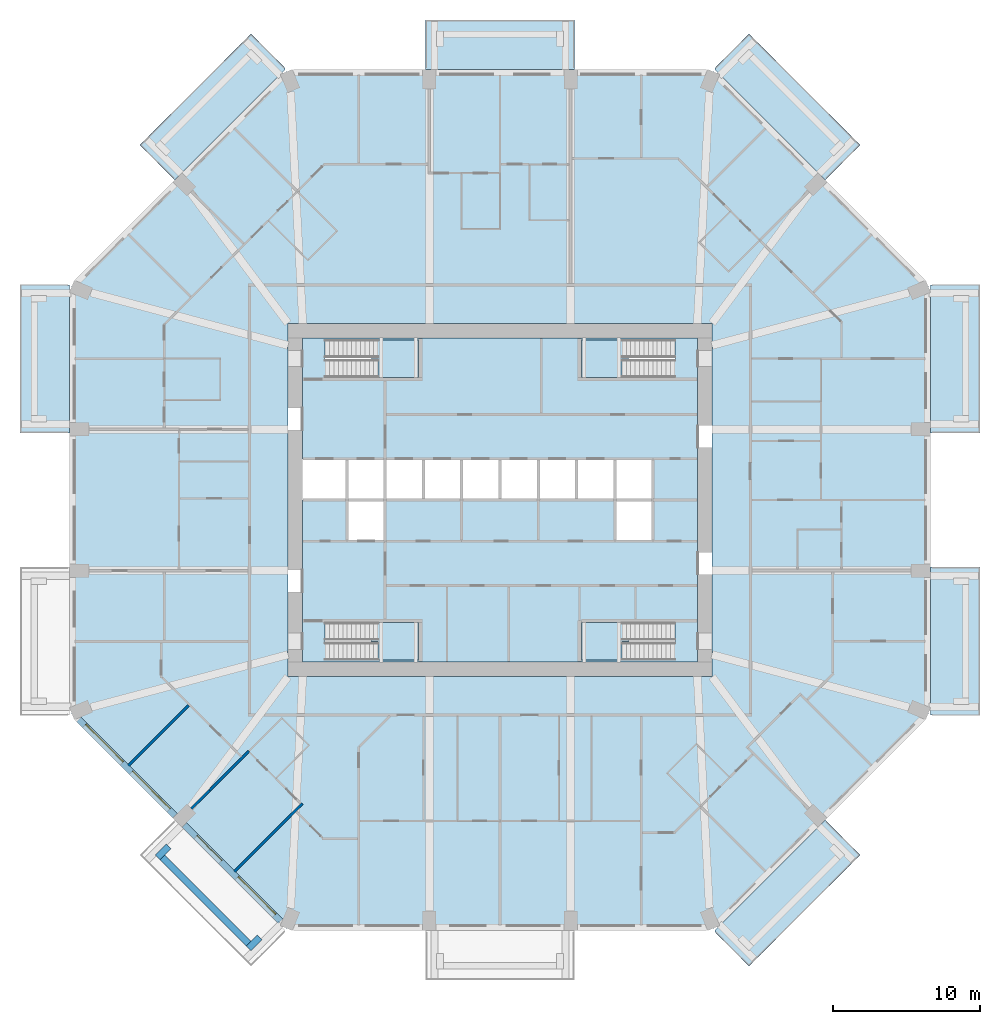
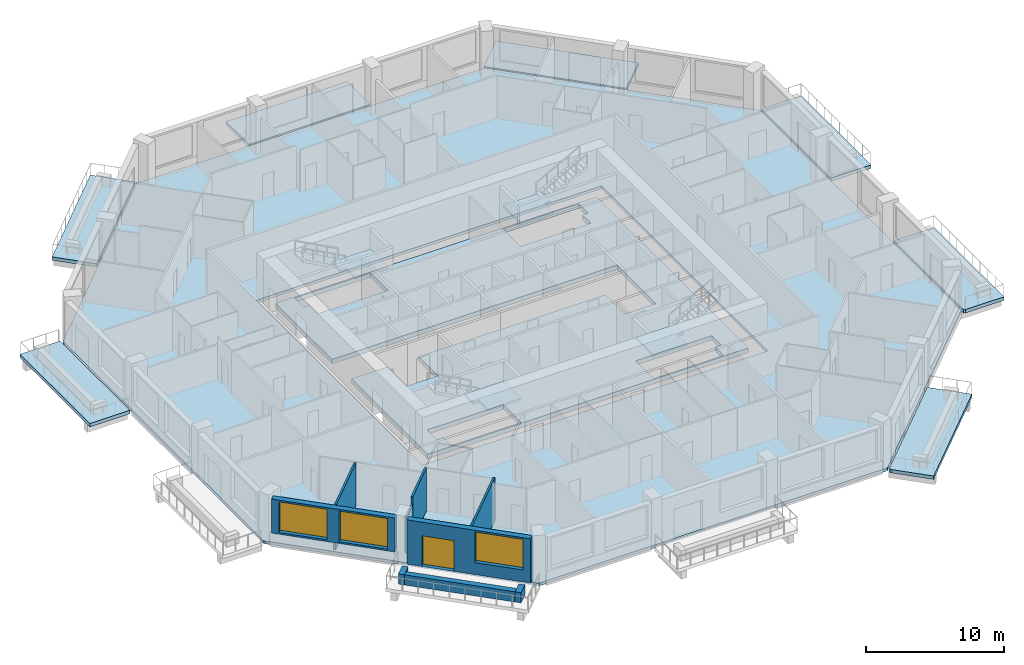
# One storey, part 2 of 13: 13 slabs, 9 walls, 3 windows, 1 door, 4 openings, 4 elements without a shape of their own.
"""IFC4 building model written with IfcOpenShell, lengths in metres."""

from ifc_helpers import new_model, si_unit, direction, frame, frame_2d, origin, place, context, subcontext, project, spatial, polyline, rectangle, outline, extrude, material, layer, layer_set, type_object, element, fill, aggregate, save


model = new_model("IFC4")

# Units and contexts
model_context = context("Model", 3, precision=1e-05, world=origin(), true_north=direction((0.0, 1.0)))
body_context = subcontext(model_context, "Body", "Model", "MODEL_VIEW")
ifc_project = project(units=[si_unit("LENGTHUNIT", "METRE"), si_unit("AREAUNIT", "SQUARE_METRE"), si_unit("VOLUMEUNIT", "CUBIC_METRE"), si_unit("PLANEANGLEUNIT", "RADIAN"), si_unit("MASSUNIT", "GRAM", prefix="KILO")], contexts=[model_context])

# Site, building, storey
site_placement = place(None, origin())
site = spatial("IfcSite", under=ifc_project, at=site_placement, CompositionType="ELEMENT")
building_placement = place(site_placement, origin())
building = spatial("IfcBuilding", under=site, at=building_placement, Name="Msitu Wima Residences", CompositionType="ELEMENT")
storey_placement = place(building_placement, frame((0.0, 0.0, 96.89990234375)))
storey = spatial("IfcBuildingStorey", under=building, at=storey_placement, Name="L22", CompositionType="ELEMENT", Elevation=96.89990234375)

# Slabs
ifc_material_1 = material(Name="Concrete C40/50", Category="concrete")
ifc_layer_1 = layer(ifc_material_1, 0.300048828125)
ifc_layer_set_1 = layer_set([ifc_layer_1], Name="Concrete C40/50")
slab_type_1 = type_object("IfcSlabType", Name="Balcony slab BS300", PredefinedType="FLOOR", material=ifc_layer_set_1)
slab_1_placement = place(storey_placement, frame((0.0, 0.0, -0.2998046875)))
element("IfcSlab", 1, at=slab_1_placement, inside=storey, type_object=slab_type_1, Name="Balcony E0 L22", PredefinedType="FLOOR", context=body_context, shape_type="SweptSolid", body=[
    extrude(outline(polyline([(29.25, -14.099365234375), (29.25, -14.099365234375), (29.25, -5.25), (29.25, -4.550048828125), (32.60009765625, -4.550048828125), (32.60009765625, -14.64990234375), (29.403564453125, -14.64990234375), (29.25, -14.58642578125), (29.25, -14.099365234375), (29.25, -14.099365234375)])), origin(), (0.0, 0.0, 1.0), 0.2998046875),
])
slab_2_placement = place(storey_placement, frame((0.0, 0.0, -0.2998046875)))
element("IfcSlab", 2, at=slab_2_placement, inside=storey, type_object=slab_type_1, Name="Balcony E2 L22", PredefinedType="FLOOR", context=body_context, shape_type="SweptSolid", body=[
    extrude(outline(polyline([(29.25, 14.099365234375), (29.25, 14.099365234375), (29.25, 14.099365234375), (29.25, 14.58642578125), (29.403564453125, 14.64990234375), (32.60009765625, 14.64990234375), (32.60009765625, 4.550048828125), (29.25, 4.550048828125), (29.25, 5.25), (29.25, 14.099365234375)])), origin(), (0.0, 0.0, 1.0), 0.2998046875),
])
slab_3_placement = place(storey_placement, frame((0.0, 0.0, -0.2998046875)))
element("IfcSlab", 3, at=slab_3_placement, inside=storey, type_object=slab_type_1, Name="Balcony NE1 L22", PredefinedType="FLOOR", context=body_context, shape_type="SweptSolid", body=[
    extrude(outline(polyline([(16.91015625, 31.663818359375), (24.4638671875, 24.1103515625), (22.094970703125, 21.741455078125), (14.58642578125, 29.25), (14.64990234375, 29.403564453125), (16.91015625, 31.663818359375)])), origin(), (0.0, 0.0, 1.0), 0.2998046875),
])
slab_4_placement = place(storey_placement, frame((0.0, 0.0, -0.2998046875)))
element("IfcSlab", 4, at=slab_4_placement, inside=storey, type_object=slab_type_1, Name="Balcony N1 L22", PredefinedType="FLOOR", context=body_context, shape_type="SweptSolid", body=[
    extrude(outline(polyline([(4.35009765625, 29.25), (-4.35009765625, 29.25), (-5.050048828125, 29.25), (-5.050048828125, 32.60009765625), (5.050048828125, 32.60009765625), (5.050048828125, 29.25), (4.35009765625, 29.25)])), origin(), (0.0, 0.0, 1.0), 0.2998046875),
])
slab_5_placement = place(storey_placement, frame((0.0, 0.0, -0.2998046875)))
element("IfcSlab", 5, at=slab_5_placement, inside=storey, type_object=slab_type_1, Name="Balcony NW0 L22", PredefinedType="FLOOR", context=body_context, shape_type="SweptSolid", body=[
    extrude(outline(polyline([(-24.4638671875, 24.1103515625), (-16.91015625, 31.663818359375), (-14.64990234375, 29.403564453125), (-14.58642578125, 29.25), (-22.094970703125, 21.741455078125), (-24.4638671875, 24.1103515625)])), origin(), (0.0, 0.0, 1.0), 0.2998046875),
])
slab_6_placement = place(storey_placement, frame((0.0, 0.0, -0.2998046875)))
element("IfcSlab", 6, at=slab_6_placement, inside=storey, type_object=slab_type_1, Name="Balcony W0 L22", PredefinedType="FLOOR", context=body_context, shape_type="SweptSolid", body=[
    extrude(outline(polyline([(-29.25, 14.099365234375), (-29.25, 14.099365234375), (-29.25, 5.25), (-29.25, 4.550048828125), (-32.60009765625, 4.550048828125), (-32.60009765625, 14.64990234375), (-29.403564453125, 14.64990234375), (-29.25, 14.58642578125), (-29.25, 14.099365234375), (-29.25, 14.099365234375)])), origin(), (0.0, 0.0, 1.0), 0.2998046875),
])
slab_7_placement = place(storey_placement, frame((0.0, 0.0, -0.2998046875)))
element("IfcSlab", 7, at=slab_7_placement, inside=storey, type_object=slab_type_1, Name="Balcony SE0 L22", PredefinedType="FLOOR", context=body_context, shape_type="SweptSolid", body=[
    extrude(outline(polyline([(24.4638671875, -24.1103515625), (16.91015625, -31.663818359375), (14.64990234375, -29.403564453125), (14.58642578125, -29.25), (22.094970703125, -21.741455078125), (24.4638671875, -24.1103515625)])), origin(), (0.0, 0.0, 1.0), 0.2998046875),
])
ifc_layer_2 = layer(ifc_material_1, 0.402099609375)
ifc_layer_set_2 = layer_set([ifc_layer_2], Name="Concrete C40/50")
slab_type_2 = type_object("IfcSlabType", Name="Core floor CF402", PredefinedType="FLOOR", material=ifc_layer_set_2)
slab_8_placement = place(storey_placement, frame((0.0, 0.0, -0.40185546875)))
element("IfcSlab", 8, at=slab_8_placement, inside=storey, type_object=slab_type_2, Name="Core floor", PredefinedType="FLOOR", context=body_context, shape_type="SweptSolid", body=[
    extrude(outline(polyline([(-13.39990234375, 11.0), (-13.39990234375, 2.800048828125), (-10.39990234375, 2.800048828125), (-7.800048828125, 2.800048828125), (-5.199951171875, 2.800048828125), (-2.60009765625, 2.800048828125), (0.0, 2.800048828125), (2.60009765625, 2.800048828125), (5.199951171875, 2.800048828125), (7.800048828125, 2.800048828125), (10.39990234375, 2.800048828125), (10.39990234375, 0.0), (10.39990234375, -2.800048828125), (7.800048828125, -2.800048828125), (7.800048828125, 0.0), (5.199951171875, 0.0), (2.60009765625, 0.0), (0.0, 0.0), (-2.60009765625, 0.0), (-5.199951171875, 0.0), (-7.800048828125, 0.0), (-7.800048828125, -2.800048828125), (-10.39990234375, -2.800048828125), (-10.39990234375, 0.0), (-13.39990234375, 0.0), (-13.39990234375, -11.0), (13.39990234375, -11.0), (13.39990234375, 11.0), (-13.39990234375, 11.0)]), holes=[polyline([(-11.375, -10.875), (-11.375, -9.675048828125), (-11.87451171875, -9.675048828125), (-11.87451171875, -8.324951171875), (-5.52490234375, -8.324951171875), (-5.52490234375, -10.875), (-11.375, -10.875)]), polyline([(-11.375, 9.52490234375), (-11.87451171875, 9.52490234375), (-11.87451171875, 10.875), (-5.52490234375, 10.875), (-5.52490234375, 8.324951171875), (-11.375, 8.324951171875), (-11.375, 9.52490234375)]), polyline([(11.375, -9.675048828125), (11.375, -10.875), (5.52490234375, -10.875), (5.52490234375, -8.324951171875), (11.87451171875, -8.324951171875), (11.87451171875, -9.675048828125), (11.375, -9.675048828125)]), polyline([(11.375, 9.52490234375), (11.375, 8.324951171875), (5.52490234375, 8.324951171875), (5.52490234375, 10.875), (11.87451171875, 10.875), (11.87451171875, 9.52490234375), (11.375, 9.52490234375)])]), origin(), (0.0, 0.0, 1.0), 0.40185546875),
])
ifc_layer_3 = layer(ifc_material_1, 0.25)
ifc_layer_set_3 = layer_set([ifc_layer_3], Name="Concrete C40/50")
slab_type_3 = type_object("IfcSlabType", Name="PT flat slab 250 Concrete C40/50", PredefinedType="FLOOR", material=ifc_layer_set_3)
slab_9_placement = place(storey_placement, frame((0.0, 0.0, -0.25)))
element("IfcSlab", 9, at=slab_9_placement, inside=storey, type_object=slab_type_3, Name="Floor slab L22", PredefinedType="FLOOR", context=body_context, shape_type="SweptSolid", body=[
    extrude(outline(polyline([(29.10009765625, -14.524169921875), (14.524169921875, -29.10009765625), (-14.524169921875, -29.10009765625), (-29.10009765625, -14.524169921875), (-29.10009765625, 14.524169921875), (-14.524169921875, 29.10009765625), (14.524169921875, 29.10009765625), (29.10009765625, 14.524169921875), (29.10009765625, -14.524169921875)]), holes=[polyline([(-14.39990234375, -12.0), (14.39990234375, -12.0), (14.39990234375, 12.0), (-14.39990234375, 12.0), (-14.39990234375, -12.0)])]), origin(), (0.0, 0.0, 1.0), 0.25),
])

# Stair, slab
stair_type = type_object("IfcStairType", Name="Exit stair ES1615-120", PredefinedType="HALF_TURN_STAIR", material=ifc_material_1)
stair_1_placement = place(storey_placement, origin())
stair_1 = element("IfcStair", 10, at=stair_1_placement, inside=storey, type_object=stair_type, Name="Exit stair 1", PredefinedType="HALF_TURN_STAIR")
ifc_layer_4 = layer(ifc_material_1, 0.199951171875)
ifc_layer_set_4 = layer_set([ifc_layer_4], Name="Concrete C40/50")
slab_type_4 = type_object("IfcSlabType", Name="Stair landing SL200", PredefinedType="LANDING", material=ifc_layer_set_4)
slab_10_placement = place(storey_placement, frame((0.0, 0.0, 1.900146484375)))
slab_10 = element("IfcSlab", 11, at=slab_10_placement, type_object=slab_type_4, Name="S1 landing 1", PredefinedType="LANDING", context=body_context, shape_type="SweptSolid", body=[
    extrude(outline(polyline([(-5.52490234375, 8.324951171875), (-8.275390625, 8.324951171875), (-8.275390625, 9.60009765625), (-8.77490234375, 9.60009765625), (-8.77490234375, 10.875), (-5.52490234375, 10.875), (-5.52490234375, 8.324951171875)])), origin(), (0.0, 0.0, 1.0), 0.199951171875),
])
aggregate(stair_1, [slab_10])

stair_2_placement = place(storey_placement, origin())
stair_2 = element("IfcStair", 12, at=stair_2_placement, inside=storey, type_object=stair_type, Name="Exit stair 2", PredefinedType="HALF_TURN_STAIR")
slab_11_placement = place(storey_placement, frame((0.0, 0.0, 1.900146484375)))
slab_11 = element("IfcSlab", 13, at=slab_11_placement, type_object=slab_type_4, Name="S2 landing 1", PredefinedType="LANDING", context=body_context, shape_type="SweptSolid", body=[
    extrude(outline(polyline([(-5.52490234375, -10.875), (-8.275390625, -10.875), (-8.275390625, -9.60009765625), (-8.77490234375, -9.60009765625), (-8.77490234375, -8.324951171875), (-5.52490234375, -8.324951171875), (-5.52490234375, -10.875)])), origin(), (0.0, 0.0, 1.0), 0.199951171875),
])
aggregate(stair_2, [slab_11])

stair_3_placement = place(storey_placement, origin())
stair_3 = element("IfcStair", 14, at=stair_3_placement, inside=storey, type_object=stair_type, Name="Exit stair 3", PredefinedType="HALF_TURN_STAIR")
slab_12_placement = place(storey_placement, frame((0.0, 0.0, 1.900146484375)))
slab_12 = element("IfcSlab", 15, at=slab_12_placement, type_object=slab_type_4, Name="S3 landing 1", PredefinedType="LANDING", context=body_context, shape_type="SweptSolid", body=[
    extrude(outline(polyline([(5.52490234375, 8.324951171875), (8.275390625, 8.324951171875), (8.275390625, 9.60009765625), (8.77490234375, 9.60009765625), (8.77490234375, 10.875), (5.52490234375, 10.875), (5.52490234375, 8.324951171875)])), origin(), (0.0, 0.0, 1.0), 0.199951171875),
])
aggregate(stair_3, [slab_12])

stair_4_placement = place(storey_placement, origin())
stair_4 = element("IfcStair", 16, at=stair_4_placement, inside=storey, type_object=stair_type, Name="Exit stair 4", PredefinedType="HALF_TURN_STAIR")
slab_13_placement = place(storey_placement, frame((0.0, 0.0, 1.900146484375)))
slab_13 = element("IfcSlab", 17, at=slab_13_placement, type_object=slab_type_4, Name="S4 landing 1", PredefinedType="LANDING", context=body_context, shape_type="SweptSolid", body=[
    extrude(outline(polyline([(5.52490234375, -10.875), (8.275390625, -10.875), (8.275390625, -9.60009765625), (8.77490234375, -9.60009765625), (8.77490234375, -8.324951171875), (5.52490234375, -8.324951171875), (5.52490234375, -10.875)])), origin(), (0.0, 0.0, 1.0), 0.199951171875),
])
aggregate(stair_4, [slab_13])

# Walls
ifc_material_2 = material(Name="Facing brick")
ifc_layer_5 = layer(ifc_material_2, 0.06494140625, Name="Facing brick")
ifc_layer_6 = layer(ifc_material_1, 0.156005859375, Name="Concrete C40/50")
ifc_material_3 = material(Name="Waterproofing membrane")
ifc_layer_7 = layer(ifc_material_3, 0.00390625, Name="Waterproofing membrane")
ifc_material_4 = material(Name="Planting soil and planting")
ifc_layer_8 = layer(ifc_material_4, 0.22509765625, Name="Planting soil and planting")
ifc_layer_set_5 = layer_set([ifc_layer_5, ifc_layer_6, ifc_layer_7, ifc_layer_8], Name="Concrete C40/50")
wall_type_1 = type_object("IfcWallType", Name="Balcony planter PLANTER PL450", PredefinedType="USERDEFINED", material=ifc_layer_set_5)
wall_1_placement = place(storey_placement, frame((-22.92578125, -24.269287109375, 0.0), z_axis=(0.0, 0.0, 1.0), x_axis=(0.707106781187, -0.707106781187, 0.0)))
element("IfcWall", 18, at=wall_1_placement, inside=storey, type_object=wall_type_1, Name="Balcony planter SW1 L22", ObjectType="PLANTER", PredefinedType="USERDEFINED", context=body_context, shape_type="SweptSolid", body=[
    extrude(rectangle(XDim=8.2822265625, YDim=0.449951171875, at=frame_2d((4.14111328125, 0.0))), origin(), (0.0, 0.0, 1.0), 0.900146484375),
])
for number, where, z_axis, x_axis, name in (
    (19, (-22.50146484375, -23.52685546875, 0.0), (0.0, 0.0, 1.0), (-0.707223014731, -0.706990528533, 0.0), "Balcony planter SW1 L22"),
    (20, (-16.326904296875, -29.70166015625, 0.0), (0.0, 0.0, 1.0), (-0.707106781187, -0.707106781187, 0.0), "Balcony planter SW1 L22"),
):
    element("IfcWall", number, at=place(storey_placement, frame(where, z_axis=z_axis, x_axis=x_axis)), inside=storey, type_object=wall_type_1, Name=name, ObjectType="PLANTER", PredefinedType="USERDEFINED", context=body_context, shape_type="SweptSolid", body=[
        extrude(rectangle(XDim=1.050048828125, YDim=0.449951171875, at=frame_2d((0.52490234375, 0.0))), origin(), (0.0, 0.0, 1.0), 0.900146484375),
    ])

# Wall, openings, windows
ifc_material_5 = material(Name="Brick (red buff mix)", Category="masonry")
ifc_layer_9 = layer(ifc_material_5, 0.449951171875)
ifc_layer_set_6 = layer_set([ifc_layer_9], Name="Brick (red buff mix)")
wall_type_2 = type_object("IfcWallType", Name="Brick infill wall BW450", PredefinedType="SOLIDWALL", material=ifc_layer_set_6)
wall_2_placement = place(storey_placement, frame((-28.61474609375, -14.903564453125, 0.900146484375), z_axis=(0.0, 0.0, 1.0), x_axis=(0.707106781187, -0.707106781187, 0.0)))
wall_2 = element("IfcWall", 21, at=wall_2_placement, inside=storey, type_object=wall_type_2, Name="Brick infill wall L22 SW0", PredefinedType="SOLIDWALL", context=body_context, shape_type="SweptSolid", body=[
    extrude(rectangle(XDim=9.2451171875, YDim=0.449951171875, at=frame_2d((4.62255859375, 0.0))), origin(), (0.0, 0.0, 1.0), 3.0),
])
opening_1_placement = place(wall_2_placement, frame((0.572509765625, 0.0, 0.14990234375)))
opening_1 = element("IfcOpeningElement", 22, at=opening_1_placement, cuts=wall_2, Name="Opening W22.024", PredefinedType="OPENING", context=body_context, shape_type="SweptSolid", body=[
    extrude(rectangle(XDim=3.60009765625, YDim=2.699951171875, at=frame_2d((1.800048828125, 1.35009765625))), frame((0.0, 0.23486328125, 0.0), z_axis=(0.0, -1.0, 0.0), x_axis=(1.0, 0.0, 0.0)), (0.0, 0.0, 1.0), 0.469970703125),
])
opening_2_placement = place(wall_2_placement, frame((5.072509765625, 0.0, 0.14990234375)))
opening_2 = element("IfcOpeningElement", 23, at=opening_2_placement, cuts=wall_2, Name="Opening W22.025", PredefinedType="OPENING", context=body_context, shape_type="SweptSolid", body=[
    extrude(rectangle(XDim=3.60009765625, YDim=2.699951171875, at=frame_2d((1.800048828125, 1.35009765625))), frame((0.0, 0.23486328125, 0.0), z_axis=(0.0, -1.0, 0.0), x_axis=(1.0, 0.0, 0.0)), (0.0, 0.0, 1.0), 0.469970703125),
])
ifc_material_6 = material(Name="Anodised aluminium, bronze finish, clear low-emissivity double glazing", Category="aluminium")
window_type = type_object("IfcWindowType", Name="Window W3600x2700", PartitioningType="DOUBLE_PANEL_VERTICAL", PredefinedType="WINDOW", material=ifc_material_6)
window_1_placement = place(opening_1_placement, origin())
window_1 = element("IfcWindow", 24, at=window_1_placement, inside=storey, type_object=window_type, Name="Window L22 SW0.1", OverallHeight=2.699951171875, OverallWidth=3.60009765625, PartitioningType="SINGLE_PANEL", PredefinedType="WINDOW", context=body_context, shape_type="SweptSolid", body=[
    extrude(rectangle(XDim=3.60009765625, YDim=2.699951171875, at=frame_2d((1.800048828125, 1.35009765625))), frame((0.0, 0.135009765625, 0.0), z_axis=(0.0, -1.0, 0.0), x_axis=(1.0, 0.0, 0.0)), (0.0, 0.0, 1.0), 0.06005859375),
])
fill(opening_1, window_1)
window_2_placement = place(opening_2_placement, origin())
window_2 = element("IfcWindow", 25, at=window_2_placement, inside=storey, type_object=window_type, Name="Window L22 SW0.2", OverallHeight=2.699951171875, OverallWidth=3.60009765625, PartitioningType="SINGLE_PANEL", PredefinedType="WINDOW", context=body_context, shape_type="SweptSolid", body=[
    extrude(rectangle(XDim=3.60009765625, YDim=2.699951171875, at=frame_2d((1.800048828125, 1.35009765625))), frame((0.0, 0.135009765625, 0.0), z_axis=(0.0, -1.0, 0.0), x_axis=(1.0, 0.0, 0.0)), (0.0, 0.0, 1.0), 0.06005859375),
])
fill(opening_2, window_2)

# Wall, openings, door, window
wall_3_placement = place(storey_placement, frame((-21.44091796875, -22.077392578125, 0.0), z_axis=(0.0, 0.0, 1.0), x_axis=(0.707106781187, -0.707106781187, 0.0)))
wall_3 = element("IfcWall", 26, at=wall_3_placement, inside=storey, type_object=wall_type_2, Name="Brick infill wall L22 SW1", PredefinedType="SOLIDWALL", context=body_context, shape_type="SweptSolid", body=[
    extrude(rectangle(XDim=9.2451171875, YDim=0.449951171875, at=frame_2d((4.62255859375, 0.0))), origin(), (0.0, 0.0, 1.0), 3.900146484375),
])
opening_3_placement = place(wall_3_placement, frame((1.111328125, 0.0, 0.0)))
opening_3 = element("IfcOpeningElement", 27, at=opening_3_placement, cuts=wall_3, Name="Opening D22.008", PredefinedType="OPENING", context=body_context, shape_type="SweptSolid", body=[
    extrude(rectangle(XDim=2.39990234375, YDim=2.699951171875, at=frame_2d((1.199951171875, 1.35009765625))), frame((0.0, 0.23486328125, 0.0), z_axis=(0.0, -1.0, 0.0), x_axis=(1.0, 0.0, 0.0)), (0.0, 0.0, 1.0), 0.469970703125),
])
opening_4_placement = place(wall_3_placement, frame((5.072509765625, 0.0, 1.050048828125)))
opening_4 = element("IfcOpeningElement", 28, at=opening_4_placement, cuts=wall_3, Name="Opening W22.026", PredefinedType="OPENING", context=body_context, shape_type="SweptSolid", body=[
    extrude(rectangle(XDim=3.60009765625, YDim=2.699951171875, at=frame_2d((1.800048828125, 1.35009765625))), frame((0.0, 0.23486328125, 0.0), z_axis=(0.0, -1.0, 0.0), x_axis=(1.0, 0.0, 0.0)), (0.0, 0.0, 1.0), 0.469970703125),
])
door_type = type_object("IfcDoorType", Name="Balcony door D2400x2700", OperationType="SLIDING_TO_LEFT", PredefinedType="DOOR", material=ifc_material_6)
door_placement = place(opening_3_placement, origin())
door = element("IfcDoor", 29, at=door_placement, inside=storey, type_object=door_type, Name="Balcony door L22 SW1", OperationType="SINGLE_SWING_LEFT", OverallHeight=2.699951171875, OverallWidth=2.39990234375, PredefinedType="DOOR", context=body_context, shape_type="SweptSolid", body=[
    extrude(rectangle(XDim=2.39990234375, YDim=2.699951171875, at=frame_2d((1.199951171875, 1.35009765625))), frame((0.0, 0.1298828125, 0.0), z_axis=(0.0, -1.0, 0.0), x_axis=(1.0, 0.0, 0.0)), (0.0, 0.0, 1.0), 0.050048828125),
])
fill(opening_3, door)
window_3_placement = place(opening_4_placement, origin())
window_3 = element("IfcWindow", 30, at=window_3_placement, inside=storey, type_object=window_type, Name="Window L22 SW1.2", OverallHeight=2.699951171875, OverallWidth=3.60009765625, PartitioningType="SINGLE_PANEL", PredefinedType="WINDOW", context=body_context, shape_type="SweptSolid", body=[
    extrude(rectangle(XDim=3.60009765625, YDim=2.699951171875, at=frame_2d((1.800048828125, 1.35009765625))), frame((0.0, 0.135009765625, 0.0), z_axis=(0.0, -1.0, 0.0), x_axis=(1.0, 0.0, 0.0)), (0.0, 0.0, 1.0), 0.06005859375),
])
fill(opening_4, window_3)

# Walls
ifc_material_7 = material(Name="Plaster")
ifc_layer_10 = layer(ifc_material_7, 0.011962890625, Name="Plaster")
ifc_material_8 = material(Name="Concrete blockwork", Category="masonry")
ifc_layer_11 = layer(ifc_material_8, 0.1259765625, Name="Concrete blockwork")
ifc_layer_12 = layer(ifc_material_7, 0.011962890625, Name="Plaster")
ifc_layer_set_7 = layer_set([ifc_layer_10, ifc_layer_11, ifc_layer_12], Name="Concrete blockwork")
wall_type_3 = type_object("IfcWallType", Name="Partition PW150", PredefinedType="PARTITIONING", material=ifc_layer_set_7)
wall_4_placement = place(storey_placement, frame((-25.23876953125, -18.038818359375, 0.0), z_axis=(0.0, 0.0, 1.0), x_axis=(0.707106781187, 0.707106781187, 0.0)))
element("IfcWall", 31, at=wall_4_placement, inside=storey, type_object=wall_type_3, Name="Partition", PredefinedType="PARTITIONING", context=body_context, shape_type="SweptSolid", body=[
    extrude(rectangle(XDim=5.77978515625, YDim=0.14990234375, at=frame_2d((2.889892578125, 0.0))), origin(), (0.0, 0.0, 1.0), 3.798095703125),
])
wall_5_placement = place(storey_placement, frame((-20.963623046875, -20.963623046875, 0.0), z_axis=(0.0, 0.0, 1.0), x_axis=(0.707106781187, 0.707106781187, 0.0)))
element("IfcWall", 32, at=wall_5_placement, inside=storey, type_object=wall_type_3, Name="Partition", PredefinedType="PARTITIONING", context=body_context, shape_type="SweptSolid", body=[
    extrude(rectangle(XDim=1.74853515625, YDim=0.14990234375, at=frame_2d((0.874267578125, 0.0))), origin(), (0.0, 0.0, 1.0), 3.10009765625),
])
wall_6_placement = place(storey_placement, frame((-19.727294921875, -19.727294921875, 0.0), z_axis=(0.0, 0.0, 1.0), x_axis=(0.707106781187, 0.707106781187, 0.0)))
element("IfcWall", 33, at=wall_6_placement, inside=storey, type_object=wall_type_3, Name="Partition", PredefinedType="PARTITIONING", context=body_context, shape_type="SweptSolid", body=[
    extrude(rectangle(XDim=3.771728515625, YDim=0.14990234375, at=frame_2d((1.8857421875, 0.0))), origin(), (0.0, 0.0, 1.0), 3.798095703125),
])
wall_7_placement = place(storey_placement, frame((-18.038818359375, -25.23876953125, 0.0), z_axis=(0.0, 0.0, 1.0), x_axis=(0.707125475104, 0.707088086775, 0.0)))
element("IfcWall", 34, at=wall_7_placement, inside=storey, type_object=wall_type_3, Name="Partition", PredefinedType="PARTITIONING", context=body_context, shape_type="SweptSolid", body=[
    extrude(rectangle(XDim=6.52978515625, YDim=0.14990234375, at=frame_2d((3.264892578125, 0.0))), origin(), (0.0, 0.0, 1.0), 3.798095703125),
])

save(model, "model.ifc")
